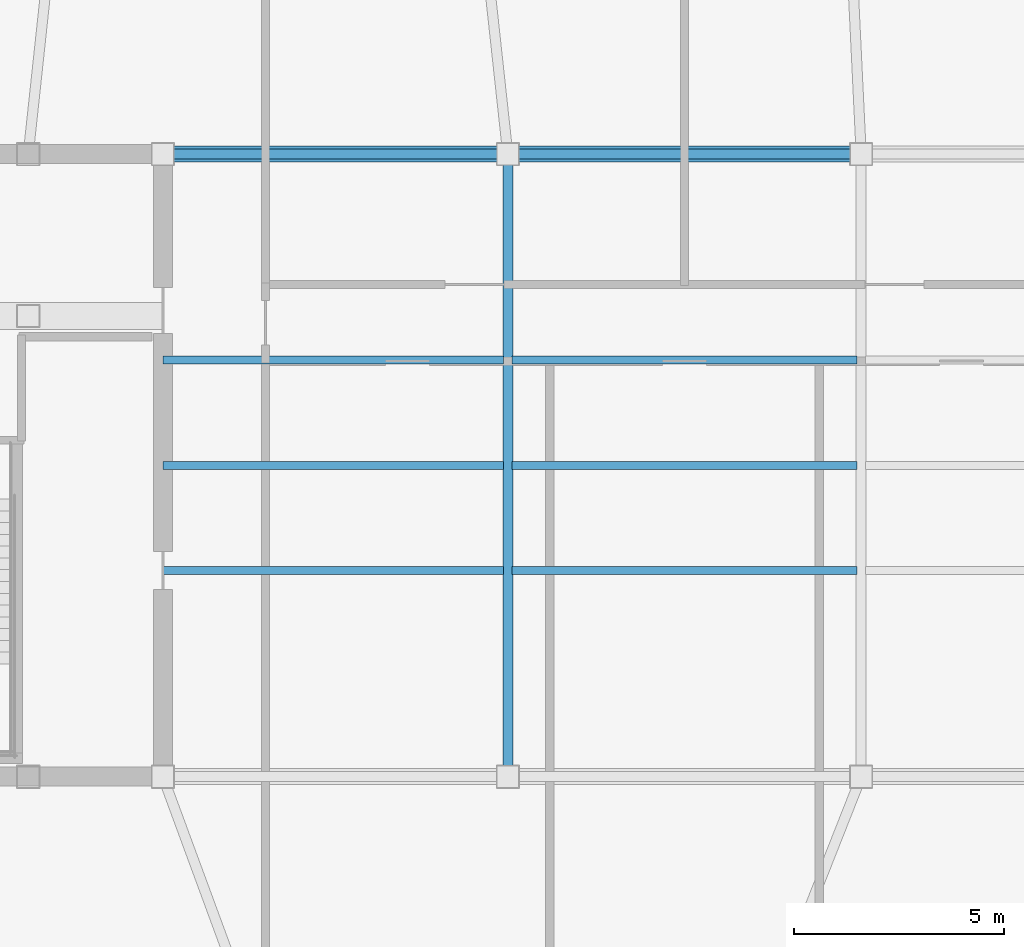
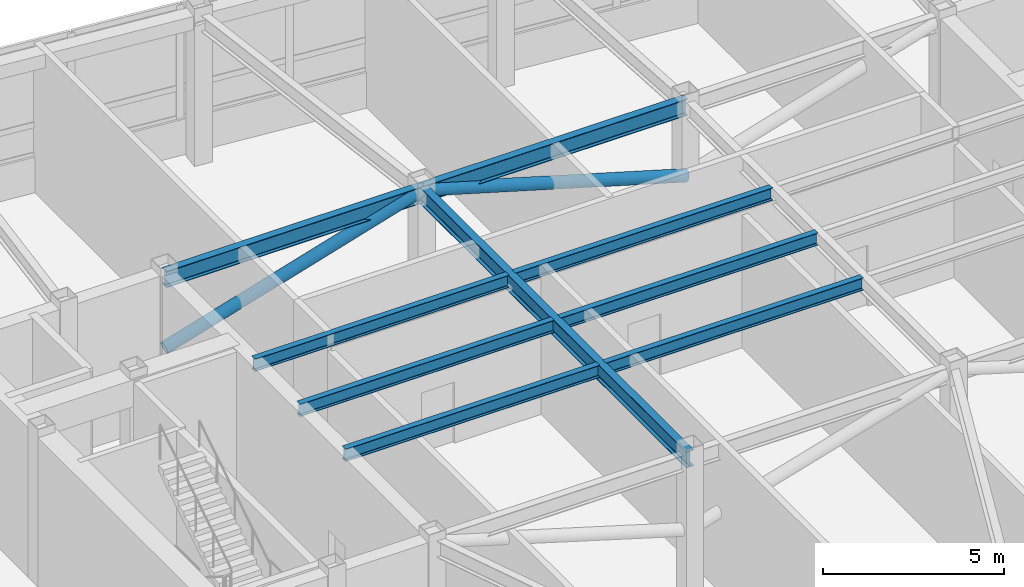
# One storey, part 8 of 23: 9 beams, 2 members.
"""IFC4 building model written with IfcOpenShell, lengths in metres."""

from ifc_helpers import new_model, si_unit, direction, frame, origin, origin_2d, place, context, subcontext, project, spatial, hollow_circle, i_section, extrude, material, material_profile, profile_set, type_object, element, save


model = new_model("IFC4")

# Units and contexts
model_context = context("Model", 3, precision=1e-05, world=origin(), true_north=direction((0.0, 1.0)))
body_context = subcontext(model_context, "Body", "Model", "MODEL_VIEW")
ifc_project = project(units=[si_unit("LENGTHUNIT", "METRE"), si_unit("AREAUNIT", "SQUARE_METRE"), si_unit("VOLUMEUNIT", "CUBIC_METRE"), si_unit("PLANEANGLEUNIT", "RADIAN"), si_unit("MASSUNIT", "GRAM", prefix="KILO")], contexts=[model_context])

# Site, building, storey
site_placement = place(None, origin())
site = spatial("IfcSite", under=ifc_project, at=site_placement, CompositionType="ELEMENT")
building_placement = place(site_placement, origin())
building = spatial("IfcBuilding", under=site, at=building_placement, Name="Voryun Gate Residences", CompositionType="ELEMENT")
storey_placement = place(building_placement, frame((0.0, 0.0, 331.89990234375)))
storey = spatial("IfcBuildingStorey", under=building, at=storey_placement, Name="L81", CompositionType="ELEMENT", Elevation=331.89990234375)

# Beams
ifc_material_1 = material(Name="Steel SM355", Category="steel")
ifc_material_profile_1 = material_profile(ifc_material_1, i_section(OverallWidth=0.239990234375, OverallDepth=0.550048828125, WebThickness=0.011962890625, FlangeThickness=0.02001953125, FilletRadius=0.01806640625, at=origin_2d()), Name="H-550x240x12x20")
ifc_profile_set_1 = profile_set([ifc_material_profile_1], Name="Steel SM355")
beam_type_1 = type_object("IfcBeamType", Name="BM_GIRD_550", PredefinedType="USERDEFINED", material=ifc_profile_set_1)
beam_1_placement = place(storey_placement, frame((-12.39990234375, 7.39990234375, 4.75), z_axis=(1.0, 0.0, 0.0), x_axis=(0.0, 1.0, 0.0)))
element("IfcBeam", 1, at=beam_1_placement, inside=storey, type_object=beam_type_1, Name="BM-L81-SPG1-N", ObjectType="GIRDER", PredefinedType="USERDEFINED", context=body_context, shape_type="SweptSolid", body=[
    extrude(i_section(OverallWidth=0.239990234375, OverallDepth=0.550048828125, WebThickness=0.011962890625, FlangeThickness=0.02001953125, FilletRadius=0.01806640625, at=origin_2d()), origin(), (0.0, 0.0, 1.0), 8.199951171875),
])
beam_2_placement = place(storey_placement, frame((-4.199951171875, 7.39990234375, 4.75), z_axis=(1.0, 0.0, 0.0), x_axis=(0.0, 1.0, 0.0)))
element("IfcBeam", 2, at=beam_2_placement, inside=storey, type_object=beam_type_1, Name="BM-L81-SPG2-N", ObjectType="GIRDER", PredefinedType="USERDEFINED", context=body_context, shape_type="SweptSolid", body=[
    extrude(i_section(OverallWidth=0.239990234375, OverallDepth=0.550048828125, WebThickness=0.011962890625, FlangeThickness=0.02001953125, FilletRadius=0.01806640625, at=origin_2d()), origin(), (0.0, 0.0, 1.0), 8.39990234375),
])
beam_3_placement = place(storey_placement, frame((-4.199951171875, -7.39990234375, 4.75), z_axis=(0.0, 1.0, 0.0), x_axis=(-1.0, 0.0, 0.0)))
element("IfcBeam", 3, at=beam_3_placement, inside=storey, type_object=beam_type_1, Name="BM-L81-SPX-W", ObjectType="GIRDER", PredefinedType="USERDEFINED", context=body_context, shape_type="SweptSolid", body=[
    extrude(i_section(OverallWidth=0.239990234375, OverallDepth=0.550048828125, WebThickness=0.011962890625, FlangeThickness=0.02001953125, FilletRadius=0.01806640625, at=origin_2d()), origin(), (0.0, 0.0, 1.0), 14.7998046875),
])
ifc_material_2 = material(Name="Steel SM355", Category="steel")
ifc_material_profile_2 = material_profile(ifc_material_2, i_section(OverallWidth=0.18994140625, OverallDepth=0.419921875, WebThickness=0.009033203125, FlangeThickness=0.01611328125, FilletRadius=0.01806640625, at=origin_2d()), Name="H-420x190x9x16")
ifc_profile_set_2 = profile_set([ifc_material_profile_2], Name="Steel SM355")
beam_type_2 = type_object("IfcBeamType", Name="BM_SEC_420", PredefinedType="BEAM", material=ifc_profile_set_2)
beam_4_placement = place(storey_placement, frame((-12.39990234375, -2.5, 4.815185546875), z_axis=(1.0, 0.0, 0.0), x_axis=(0.0, 1.0, 0.0)))
element("IfcBeam", 4, at=beam_4_placement, inside=storey, type_object=beam_type_2, Name="BM-L81-SEC-CS1", PredefinedType="BEAM", context=body_context, shape_type="SweptSolid", body=[
    extrude(i_section(OverallWidth=0.18994140625, OverallDepth=0.419921875, WebThickness=0.009033203125, FlangeThickness=0.01611328125, FilletRadius=0.01806640625, at=origin_2d()), origin(), (0.0, 0.0, 1.0), 8.099853515625),
])
beam_5_placement = place(storey_placement, frame((-4.10009765625, -2.5, 4.815185546875), z_axis=(1.0, 0.0, 0.0), x_axis=(0.0, 1.0, 0.0)))
element("IfcBeam", 5, at=beam_5_placement, inside=storey, type_object=beam_type_2, Name="BM-L81-SEC-CS2", PredefinedType="BEAM", context=body_context, shape_type="SweptSolid", body=[
    extrude(i_section(OverallWidth=0.18994140625, OverallDepth=0.419921875, WebThickness=0.009033203125, FlangeThickness=0.01611328125, FilletRadius=0.01806640625, at=origin_2d()), origin(), (0.0, 0.0, 1.0), 8.2001953125),
])
beam_6_placement = place(storey_placement, frame((-12.39990234375, 0.0, 4.815185546875), z_axis=(1.0, 0.0, 0.0), x_axis=(0.0, 1.0, 0.0)))
element("IfcBeam", 6, at=beam_6_placement, inside=storey, type_object=beam_type_2, Name="BM-L81-SEC-CM1", PredefinedType="BEAM", context=body_context, shape_type="SweptSolid", body=[
    extrude(i_section(OverallWidth=0.18994140625, OverallDepth=0.419921875, WebThickness=0.009033203125, FlangeThickness=0.01611328125, FilletRadius=0.01806640625, at=origin_2d()), origin(), (0.0, 0.0, 1.0), 8.099853515625),
])
beam_7_placement = place(storey_placement, frame((-4.10009765625, 0.0, 4.815185546875), z_axis=(1.0, 0.0, 0.0), x_axis=(0.0, 1.0, 0.0)))
element("IfcBeam", 7, at=beam_7_placement, inside=storey, type_object=beam_type_2, Name="BM-L81-SEC-CM2", PredefinedType="BEAM", context=body_context, shape_type="SweptSolid", body=[
    extrude(i_section(OverallWidth=0.18994140625, OverallDepth=0.419921875, WebThickness=0.009033203125, FlangeThickness=0.01611328125, FilletRadius=0.01806640625, at=origin_2d()), origin(), (0.0, 0.0, 1.0), 8.2001953125),
])
beam_8_placement = place(storey_placement, frame((-12.39990234375, 2.5, 4.815185546875), z_axis=(1.0, 0.0, 0.0), x_axis=(0.0, 1.0, 0.0)))
element("IfcBeam", 8, at=beam_8_placement, inside=storey, type_object=beam_type_2, Name="BM-L81-SEC-CN1", PredefinedType="BEAM", context=body_context, shape_type="SweptSolid", body=[
    extrude(i_section(OverallWidth=0.18994140625, OverallDepth=0.419921875, WebThickness=0.009033203125, FlangeThickness=0.01611328125, FilletRadius=0.01806640625, at=origin_2d()), origin(), (0.0, 0.0, 1.0), 8.099853515625),
])
beam_9_placement = place(storey_placement, frame((-4.10009765625, 2.5, 4.815185546875), z_axis=(1.0, 0.0, 0.0), x_axis=(0.0, 1.0, 0.0)))
element("IfcBeam", 9, at=beam_9_placement, inside=storey, type_object=beam_type_2, Name="BM-L81-SEC-CN2", PredefinedType="BEAM", context=body_context, shape_type="SweptSolid", body=[
    extrude(i_section(OverallWidth=0.18994140625, OverallDepth=0.419921875, WebThickness=0.009033203125, FlangeThickness=0.01611328125, FilletRadius=0.01806640625, at=origin_2d()), origin(), (0.0, 0.0, 1.0), 8.2001953125),
])

# Members
ifc_material_3 = material(Name="Steel SM355", Category="steel")
ifc_material_profile_3 = material_profile(ifc_material_3, hollow_circle(Radius=0.18994140625, WallThickness=0.01806640625, at=origin_2d()), Name="CHS-380x18")
ifc_profile_set_3 = profile_set([ifc_material_profile_3], Name="Steel SM355")
member_type = type_object("IfcMemberType", Name="MBR_CROWN_DIAGRID", PredefinedType="BRACE", material=ifc_profile_set_3)
member_1_placement = place(storey_placement, frame((-12.39990234375, 7.39990234375, 2.380126953125), z_axis=(0.957662114733, 0.0, 0.287894553621), x_axis=(0.0, 1.0, 0.0)))
element("IfcMember", 10, at=member_1_placement, inside=storey, type_object=member_type, Name="L81 Lantern Spine Diagrid Brace 04", PredefinedType="BRACE", context=body_context, shape_type="SweptSolid", body=[
    extrude(hollow_circle(Radius=0.18994140625, WallThickness=0.01806640625, at=origin_2d()), origin(), (0.0, 0.0, 1.0), 8.5625),
])
member_2_placement = place(storey_placement, frame((4.199951171875, 7.39990234375, 2.380126953125), z_axis=(-0.959534525743, 0.0, 0.281591004663), x_axis=(0.0, -1.0, 0.0)))
element("IfcMember", 11, at=member_2_placement, inside=storey, type_object=member_type, Name="L81 Lantern Spine Diagrid Brace 05", PredefinedType="BRACE", context=body_context, shape_type="SweptSolid", body=[
    extrude(hollow_circle(Radius=0.18994140625, WallThickness=0.01806640625, at=origin_2d()), origin(), (0.0, 0.0, 1.0), 8.754150390625),
])

save(model, "model.ifc")
